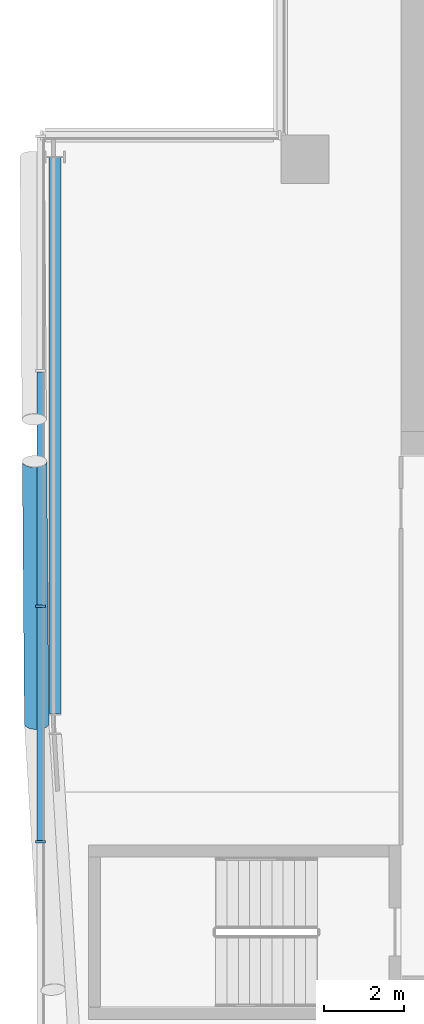
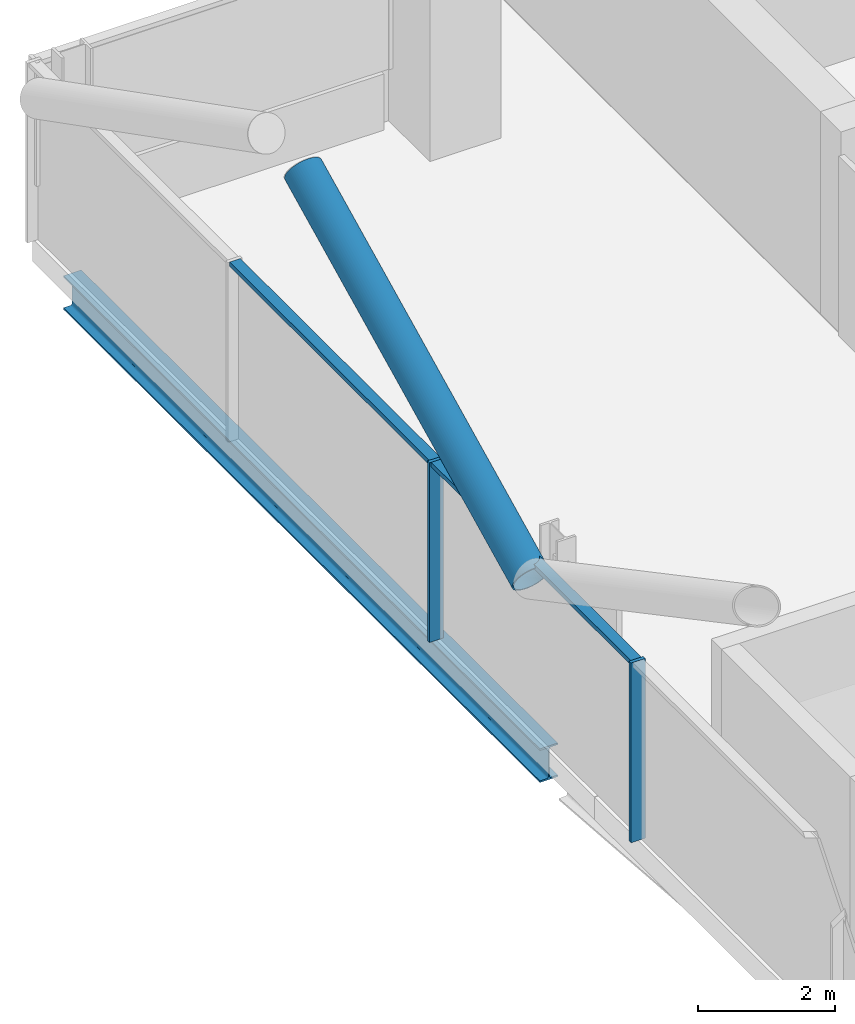
# One storey, part 7 of 25: 5 members, 1 beam, 1 element without a shape of its own.
"""IFC4 building model written with IfcOpenShell, lengths in metres."""

import ifcopenshell
import ifcopenshell.guid

model = None  # the IFC model being written
_history = None  # IfcOwnerHistory: only IFC2X3 demands one
_inside = {}  # id of a spatial element -> (the spatial element, [elements in it])
_under = {}  # id of a project, library or spatial element -> (it, [spatial elements below it])
_declared = {}  # id of a project -> (the project, [libraries it declares])
_typed = {}  # id of a type object -> (the type object, [elements of that type])
_made_of = {}  # id of a material, layer set ... -> (it, [elements and type objects made of it])


def new_model(schema):
    """Start an empty IFC model of exactly this schema.

    Asked for "IFC4X3", IfcOpenShell would pick the latest addendum, in which some entities
    have other attributes; the version numbers below select the first issue.
    IFC2X3 requires an IfcOwnerHistory on every rooted entity: one is made here for all.
    """
    global model, _history
    if schema == "IFC4X3":
        model = ifcopenshell.file(schema_version=(4, 3, 0, 0))
    else:
        model = ifcopenshell.file(schema=schema)
    _inside.clear()
    _under.clear()
    _declared.clear()
    _typed.clear()
    _made_of.clear()
    _history = None
    if model.schema == "IFC2X3":
        org = make("IfcOrganization", Name="unknown")
        user = make(
            "IfcPersonAndOrganization",
            ThePerson=make("IfcPerson", FamilyName="unknown"),
            TheOrganization=org,
        )
        app = make(
            "IfcApplication",
            ApplicationDeveloper=org,
            Version="unknown",
            ApplicationFullName="unknown",
            ApplicationIdentifier="unknown",
        )
        _history = make(
            "IfcOwnerHistory",
            OwningUser=user,
            OwningApplication=app,
            ChangeAction="ADDED",
            CreationDate=0,
        )
    return model


def make(cls, **values):
    """One entity of the class cls with the attributes given. An attribute that is None is left unset."""
    return model.create_entity(
        cls, **{name: value for name, value in values.items() if value is not None}
    )


def rooted(cls, **values):
    """An entity with a GlobalId (a new one), such as an element, a storey or a relation."""
    return make(cls, GlobalId=ifcopenshell.guid.new(), OwnerHistory=_history, **values)


def si_unit(unit_type, name, prefix=None):
    """IfcSIUnit, for example si_unit("LENGTHUNIT", "METRE", prefix="MILLI")."""
    return make("IfcSIUnit", UnitType=unit_type, Prefix=prefix, Name=name)


def assignment(units):
    """IfcUnitAssignment: the units of a project."""
    return None if units is None else make("IfcUnitAssignment", Units=units)


def point(xyz):
    """IfcCartesianPoint."""
    return None if xyz is None else make("IfcCartesianPoint", Coordinates=xyz)


def direction(xyz):
    """IfcDirection."""
    return None if xyz is None else make("IfcDirection", DirectionRatios=xyz)


def frame(location, z_axis=None, x_axis=None):
    """IfcAxis2Placement3D, a coordinate frame: its origin and axes. An axis left out is left unset."""
    return make(
        "IfcAxis2Placement3D",
        Location=point(location),
        Axis=direction(z_axis),
        RefDirection=direction(x_axis),
    )


def frame_2d(location, x_axis=None):
    """IfcAxis2Placement2D, a coordinate frame in the plane: its origin and x axis."""
    return make(
        "IfcAxis2Placement2D", Location=point(location), RefDirection=direction(x_axis)
    )


def origin():
    """The frame at (0, 0, 0) with its axes left unset."""
    return frame((0.0, 0.0, 0.0))


def origin_2d():
    """The frame at (0, 0) in the plane with its x axis left unset."""
    return frame_2d((0.0, 0.0))


def place(relative_to, where):
    """IfcLocalPlacement: puts the frame where relative to a parent placement (None: the world)."""
    return make(
        "IfcLocalPlacement", PlacementRelTo=relative_to, RelativePlacement=where
    )


def context(
    kind, dimensions, precision=None, world=None, true_north=None, identifier=None
):
    """IfcGeometricRepresentationContext, for example the 3D "Model" context."""
    return make(
        "IfcGeometricRepresentationContext",
        ContextIdentifier=identifier,
        ContextType=kind,
        CoordinateSpaceDimension=dimensions,
        Precision=precision,
        WorldCoordinateSystem=world,
        TrueNorth=true_north,
    )


def subcontext(parent, identifier, kind, view, scale=None):
    """IfcGeometricRepresentationSubContext, for example "Body" below "Model"."""
    return make(
        "IfcGeometricRepresentationSubContext",
        ContextIdentifier=identifier,
        ContextType=kind,
        ParentContext=parent,
        TargetScale=scale,
        TargetView=view,
    )


def project(units=None, contexts=None):
    """IfcProject with its units and contexts."""
    return rooted(
        "IfcProject",
        Name="project",
        RepresentationContexts=contexts,
        UnitsInContext=assignment(units),
    )


def spatial(cls, under=None, at=None, **own):
    """A site, building, storey or space (cls), placed at a placement, below another one or the project."""
    s = rooted(cls, ObjectPlacement=at, **own)
    if under is not None:
        _under.setdefault(under.id(), (under, []))[1].append(s)
    return s


def profile(cls, at=None, kind="AREA", **sizes):
    """A parametric profile (cls). Its sizes go by their IFC names, for example OverallWidth=200.0."""
    return make(cls, ProfileType=kind, Position=at, **sizes)


def rectangle(**sizes):
    """IfcRectangleProfileDef."""
    return profile("IfcRectangleProfileDef", **sizes)


def hollow_circle(**sizes):
    """IfcCircleHollowProfileDef."""
    return profile("IfcCircleHollowProfileDef", **sizes)


def i_section(**sizes):
    """IfcIShapeProfileDef."""
    return profile("IfcIShapeProfileDef", **sizes)


def extrude(swept, where, along, depth):
    """IfcExtrudedAreaSolid: the profile swept, set in the frame where, extruded along a direction by depth."""
    return make(
        "IfcExtrudedAreaSolid",
        SweptArea=swept,
        Position=where,
        ExtrudedDirection=direction(along),
        Depth=depth,
    )


def shape(context_of_items, identifier, shape_type, items):
    """IfcShapeRepresentation: the items that make up one representation, for example the "Body"."""
    return make(
        "IfcShapeRepresentation",
        ContextOfItems=context_of_items,
        RepresentationIdentifier=identifier,
        RepresentationType=shape_type,
        Items=items,
    )


def material(Name=None, Category=None):
    """IfcMaterial."""
    return make("IfcMaterial", Name=Name, Category=Category)


def material_profile(
    of_material, cross_section, Name=None, Category=None, Priority=None
):
    """IfcMaterialProfile: a cross section and its material."""
    return make(
        "IfcMaterialProfile",
        Name=Name,
        Material=of_material,
        Profile=cross_section,
        Priority=Priority,
        Category=Category,
    )


def profile_set(profiles, Name=None, composite=None):
    """IfcMaterialProfileSet."""
    return make(
        "IfcMaterialProfileSet",
        Name=Name,
        MaterialProfiles=profiles,
        CompositeProfile=composite,
    )


def made_of(thing, what):
    """Note that an element or type object is made of a material, layer set ...; save() writes the relation."""
    if what is not None:
        _made_of.setdefault(what.id(), (what, []))[1].append(thing)
    return thing


def type_object(cls, material=None, **own):
    """A type object (cls), such as IfcWallType, which elements share."""
    return made_of(rooted(cls, **own), material)


def element(
    cls,
    number,
    at=None,
    inside=None,
    cuts=None,
    type_object=None,
    material=None,
    context=None,
    identifier="Body",
    shape_type=None,
    held_by="IfcProductDefinitionShape",
    body=None,
    shapes=None,
    **own,
):
    """One element of the class cls, such as IfcWall. Its Tag is "e" and its number.

    at: its placement. inside: the storey or other place that contains it. cuts: it is an
    opening in that element (IfcRelVoidsElement). A single representation is given by context,
    identifier, shape_type and body (its items); several are given by shapes. held_by: the class
    of the entity that holds the representations. save() writes the other relations.
    """
    e = rooted(cls, Tag="e%d" % number, ObjectPlacement=at, **own)
    if body is not None:
        shapes = [shape(context, identifier, shape_type, body)]
    if shapes is not None:
        e.Representation = make(held_by, Representations=shapes)
    if inside is not None:
        _inside.setdefault(inside.id(), (inside, []))[1].append(e)
    if cuts is not None:
        rooted(
            "IfcRelVoidsElement", RelatingBuildingElement=cuts, RelatedOpeningElement=e
        )
    if type_object is not None:
        _typed.setdefault(type_object.id(), (type_object, []))[1].append(e)
    return made_of(e, material)


def aggregate(whole, parts):
    """IfcRelAggregates: a whole, such as a stair, and the parts it consists of."""
    return rooted("IfcRelAggregates", RelatingObject=whole, RelatedObjects=parts)


def save(model, path):
    """Write the relations noted so far, then the file.

    IfcRelAggregates (storeys below a building ...), IfcRelContainedInSpatialStructure (elements
    in a storey), IfcRelDefinesByType, IfcRelAssociatesMaterial and IfcRelDeclares: one each for
    every whole, place, type object, material and project.
    """
    for whole, parts in _under.values():
        aggregate(whole, parts)
    for where, things in _inside.values():
        rooted(
            "IfcRelContainedInSpatialStructure",
            RelatedElements=things,
            RelatingStructure=where,
        )
    for kind, things in _typed.values():
        rooted("IfcRelDefinesByType", RelatedObjects=things, RelatingType=kind)
    for what, things in _made_of.values():
        rooted("IfcRelAssociatesMaterial", RelatedObjects=things, RelatingMaterial=what)
    for by, libraries in _declared.values():
        rooted("IfcRelDeclares", RelatingContext=by, RelatedDefinitions=libraries)
    model.write(path)


model = new_model("IFC4")

# Units and contexts
model_context = context("Model", 3, precision=1e-05, world=origin(), true_north=direction((0.0, 1.0)))
body_context = subcontext(model_context, "Body", "Model", "MODEL_VIEW")
ifc_project = project(units=[si_unit("LENGTHUNIT", "METRE"), si_unit("AREAUNIT", "SQUARE_METRE"), si_unit("VOLUMEUNIT", "CUBIC_METRE"), si_unit("PLANEANGLEUNIT", "RADIAN"), si_unit("MASSUNIT", "GRAM", prefix="KILO")], contexts=[model_context])

# Site, building, storey
site_placement = place(None, origin())
site = spatial("IfcSite", under=ifc_project, at=site_placement, CompositionType="ELEMENT")
building_placement = place(site_placement, origin())
building = spatial("IfcBuilding", under=site, at=building_placement, Name="Wharfspan Tower", CompositionType="ELEMENT")
storey_placement = place(building_placement, frame((0.0, 0.0, 232.300049)))
storey = spatial("IfcBuildingStorey", under=building, at=storey_placement, Name="L58", CompositionType="ELEMENT", Elevation=232.300049)

# Beam
ifc_material_1 = material(Name="Steel S355J2", Category="steel")
ifc_material_profile_1 = material_profile(ifc_material_1, i_section(OverallWidth=0.300049, OverallDepth=0.600098, WebThickness=0.015381, FlangeThickness=0.030029, FilletRadius=0.0271, at=origin_2d()))
ifc_profile_set_1 = profile_set([ifc_material_profile_1], Name="Steel S355J2")
beam_type = type_object("IfcBeamType", Name="Edge beam HEB 600", PredefinedType="SPANDREL", material=ifc_profile_set_1)
beam_placement = place(storey_placement, frame((14.356934, 41.453125, -0.699951), z_axis=(0.000211, -1.0, 0.0), x_axis=(1.0, 0.000211, 0.0)))
element("IfcBeam", 1, at=beam_placement, inside=storey, type_object=beam_type, Name="Edge beam W L58 PNRW-H.1 to PW.1", PredefinedType="SPANDREL", context=body_context, shape_type="SweptSolid", body=[
    extrude(i_section(OverallWidth=0.300049, OverallDepth=0.600098, WebThickness=0.015381, FlangeThickness=0.030029, FilletRadius=0.0271, at=origin_2d()), origin(), (0.0, 0.0, 1.0), 13.89502),
])

# Curtain wall, members
ifc_material_2 = material(Name="Aluminium 6063-T6", Category="aluminium")
curtain_wall_type = type_object("IfcCurtainWallType", Name="CURTAIN WALL PROW AND END", PredefinedType="NOTDEFINED", material=ifc_material_2)
curtain_wall_placement = place(storey_placement, origin())
curtain_wall = element("IfcCurtainWall", 2, at=curtain_wall_placement, inside=storey, type_object=curtain_wall_type, Name="Curtain wall W", PredefinedType="NOTDEFINED")
ifc_material_profile_2 = material_profile(ifc_material_2, rectangle(XDim=0.23999, YDim=0.060059, at=origin_2d()))
ifc_profile_set_2 = profile_set([ifc_material_profile_2], Name="Aluminium 6063-T6")
member_type_1 = type_object("IfcMemberType", Name="MULLION PROW AND END 60x240", PredefinedType="MULLION", material=ifc_profile_set_2)
member_1_placement = place(storey_placement, frame((14.0, 30.23999, 0.0), z_axis=(0.0, 0.0, 1.0), x_axis=(1.0, 0.0, 0.0)))
member_1 = element("IfcMember", 3, at=member_1_placement, type_object=member_type_1, Name="Curtain wall W mullion 3", PredefinedType="MULLION", context=body_context, shape_type="SweptSolid", body=[
    extrude(rectangle(XDim=0.23999, YDim=0.060059, at=origin_2d()), origin(), (0.0, 0.0, 1.0), 3.199951),
])
member_2_placement = place(storey_placement, frame((14.0, 24.360107, 0.0), z_axis=(0.0, 0.0, 1.0), x_axis=(1.0, 0.0, 0.0)))
member_2 = element("IfcMember", 4, at=member_2_placement, type_object=member_type_1, Name="Curtain wall W mullion 4", PredefinedType="MULLION", context=body_context, shape_type="SweptSolid", body=[
    extrude(rectangle(XDim=0.23999, YDim=0.060059, at=origin_2d()), origin(), (0.0, 0.0, 1.0), 3.199951),
])

# Member
ifc_material_3 = material(Name="Steel S460NH", Category="steel")
ifc_material_profile_3 = material_profile(ifc_material_3, hollow_circle(Radius=0.304932, WallThickness=0.024902, at=origin_2d()))
ifc_profile_set_3 = profile_set([ifc_material_profile_3], Name="Steel S460NH")
member_type_2 = type_object("IfcMemberType", Name="Mega brace CHS 610x25", PredefinedType="BRACE", material=ifc_profile_set_3)
member_3_placement = place(storey_placement, frame((13.905029, 27.300049, 2.899902), z_axis=(-0.007044, 0.891361, 0.45324), x_axis=(-0.999973, -0.007904, 3e-06)))
element("IfcMember", 5, at=member_3_placement, inside=storey, type_object=member_type_2, Name="Mega brace W3 L59 part 3", PredefinedType="BRACE", context=body_context, shape_type="SweptSolid", body=[
    extrude(hollow_circle(Radius=0.304932, WallThickness=0.024902, at=origin_2d()), origin(), (0.0, 0.0, 1.0), 7.347168),
])

ifc_material_profile_4 = material_profile(ifc_material_2, rectangle(XDim=0.179932, YDim=0.080078, at=origin_2d()))
ifc_profile_set_4 = profile_set([ifc_material_profile_4], Name="Aluminium 6063-T6")
member_type_3 = type_object("IfcMemberType", Name="TRANSOM PROW AND END 80x180", PredefinedType="USERDEFINED", material=ifc_profile_set_4)
member_4_placement = place(storey_placement, frame((14.0, 36.090088, 3.159912), z_axis=(0.0, -1.0, 0.0), x_axis=(1.0, 0.0, 0.0)))
member_4 = element("IfcMember", 6, at=member_4_placement, type_object=member_type_3, Name="Curtain wall W transom 2", ObjectType="TRANSOM", PredefinedType="USERDEFINED", context=body_context, shape_type="SweptSolid", body=[
    extrude(rectangle(XDim=0.179932, YDim=0.080078, at=origin_2d()), origin(), (0.0, 0.0, 1.0), 5.820068),
])

member_5_placement = place(storey_placement, frame((14.0, 30.209961, 3.159912), z_axis=(0.0, -1.0, 0.0), x_axis=(1.0, 0.0, 0.0)))
member_5 = element("IfcMember", 7, at=member_5_placement, type_object=member_type_3, Name="Curtain wall W transom 3", ObjectType="TRANSOM", PredefinedType="USERDEFINED", context=body_context, shape_type="SweptSolid", body=[
    extrude(rectangle(XDim=0.179932, YDim=0.080078, at=origin_2d()), origin(), (0.0, 0.0, 1.0), 5.820068),
])

aggregate(curtain_wall, [member_1, member_2, member_4, member_5])

save(model, "model.ifc")
